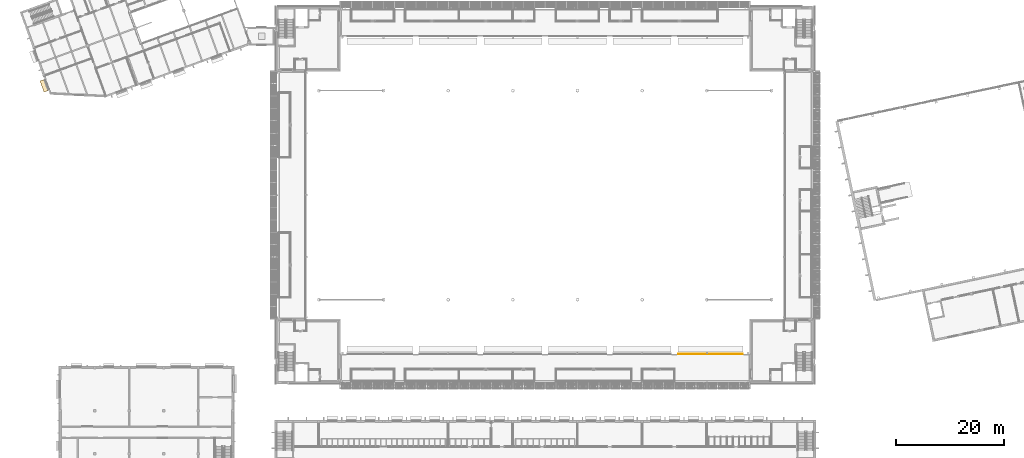
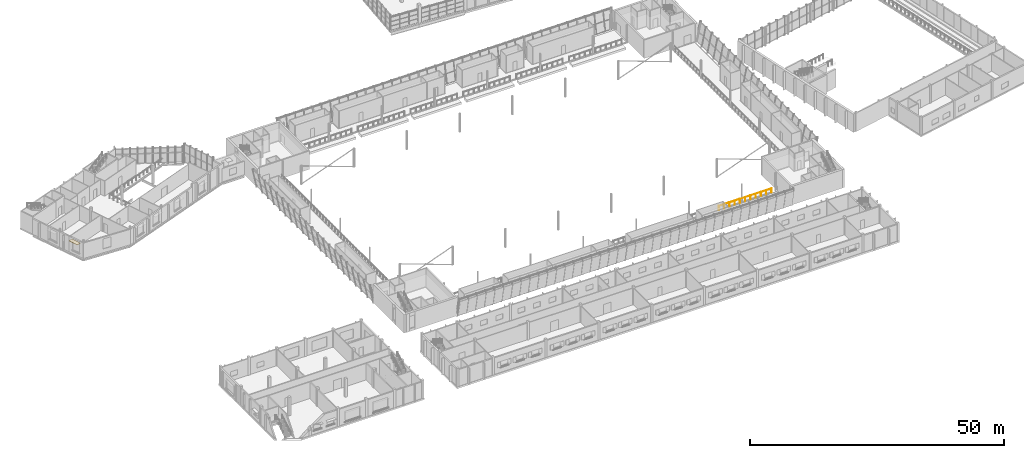
# One storey, part 101 of 115: 1 covering, 1 railing.
"""IFC4 building model written with IfcOpenShell, lengths in metres."""

from ifc_helpers import new_model, si_unit, direction, frame, origin, origin_2d, place, context, subcontext, project, spatial, polyline, circle, outline, extrude, material, layer, layer_set, type_object, element, save


model = new_model("IFC4")

# Units and contexts
model_context = context("Model", 3, precision=1e-05, world=origin(), true_north=direction((0.0, 1.0)))
body_context = subcontext(model_context, "Body", "Model", "MODEL_VIEW")
ifc_project = project(units=[si_unit("LENGTHUNIT", "METRE"), si_unit("AREAUNIT", "SQUARE_METRE"), si_unit("VOLUMEUNIT", "CUBIC_METRE"), si_unit("PLANEANGLEUNIT", "RADIAN"), si_unit("MASSUNIT", "GRAM", prefix="KILO")], contexts=[model_context])

# Site, building, storey
site_placement = place(None, origin())
site = spatial("IfcSite", under=ifc_project, at=site_placement, CompositionType="ELEMENT")
building_placement = place(site_placement, origin())
building = spatial("IfcBuilding", under=site, at=building_placement, Name="Windward Yard Aquatics Centre", CompositionType="ELEMENT")
storey_placement = place(building_placement, frame((0.0, 0.0, 5.0)))
storey = spatial("IfcBuildingStorey", under=building, at=storey_placement, Name="L01", CompositionType="ELEMENT", Elevation=5.0)

# Covering
ifc_material_1 = material(Name="Aluminium composite hood, powder coated", Category="aluminium")
ifc_layer = layer(ifc_material_1, 0.080078125)
ifc_layer_set = layer_set([ifc_layer], Name="F window hood aluminium 2200x900")
covering_type = type_object("IfcCoveringType", Name="F window hood aluminium 2200x900", PredefinedType="CLADDING", material=ifc_layer_set)
covering_placement = place(storey_placement, frame((0.0, 0.0, 3.35009765625)))
element("IfcCovering", 1, at=covering_placement, inside=storey, type_object=covering_type, Name="Window hood F1107", PredefinedType="CLADDING", context=body_context, shape_type="SweptSolid", body=[
    extrude(outline(polyline([(8.236572265625, 82.1826171875), (9.082275390625, 82.490234375), (9.834716796875, 80.423095703125), (8.989013671875, 80.115234375), (8.236572265625, 82.1826171875)])), origin(), (0.0, 0.0, 1.0), 0.079833984375),
])

# Railing
ifc_material_2 = material(Name="Stainless steel 1.4529", Category="steel")
railing_type = type_object("IfcRailingType", Name="H Guard Steel 1100", PredefinedType="GUARDRAIL", material=ifc_material_2)
railing_placement = place(storey_placement, frame((126.72509765625, 31.509521484375, 0.0)))
element("IfcRailing", 2, at=railing_placement, inside=storey, type_object=railing_type, Name="Concourse edge guard S7", PredefinedType="GUARDRAIL", context=body_context, shape_type="SweptSolid", body=[
    extrude(circle(Radius=0.02392578125, at=origin_2d()), frame((0.0, 0.0, 1.076171875), z_axis=(1.0, 0.0, 0.0), x_axis=(0.0, 1.0, 0.0)), (0.0, 0.0, 1.0), 11.9248046875),
    extrude(circle(Radius=0.02099609375, at=origin_2d()), origin(), (0.0, 0.0, 1.0), 1.052001953125),
    extrude(circle(Radius=0.02099609375, at=origin_2d()), frame((1.1923828125, 0.0, 0.0)), (0.0, 0.0, 1.0), 1.052001953125),
    extrude(circle(Radius=0.02099609375, at=origin_2d()), frame((2.385009765625, 0.0, 0.0)), (0.0, 0.0, 1.0), 1.052001953125),
    extrude(circle(Radius=0.02099609375, at=origin_2d()), frame((3.577392578125, 0.0, 0.0)), (0.0, 0.0, 1.0), 1.052001953125),
    extrude(circle(Radius=0.02099609375, at=origin_2d()), frame((4.77001953125, 0.0, 0.0)), (0.0, 0.0, 1.0), 1.052001953125),
    extrude(circle(Radius=0.02099609375, at=origin_2d()), frame((5.96240234375, 0.0, 0.0)), (0.0, 0.0, 1.0), 1.052001953125),
    extrude(circle(Radius=0.02099609375, at=origin_2d()), frame((7.15478515625, 0.0, 0.0)), (0.0, 0.0, 1.0), 1.052001953125),
    extrude(circle(Radius=0.02099609375, at=origin_2d()), frame((8.347412109375, 0.0, 0.0)), (0.0, 0.0, 1.0), 1.052001953125),
    extrude(circle(Radius=0.02099609375, at=origin_2d()), frame((9.539794921875, 0.0, 0.0)), (0.0, 0.0, 1.0), 1.052001953125),
    extrude(circle(Radius=0.02099609375, at=origin_2d()), frame((10.732421875, 0.0, 0.0)), (0.0, 0.0, 1.0), 1.052001953125),
    extrude(circle(Radius=0.02099609375, at=origin_2d()), frame((11.9248046875, 0.0, 0.0)), (0.0, 0.0, 1.0), 1.052001953125),
])

save(model, "model.ifc")
